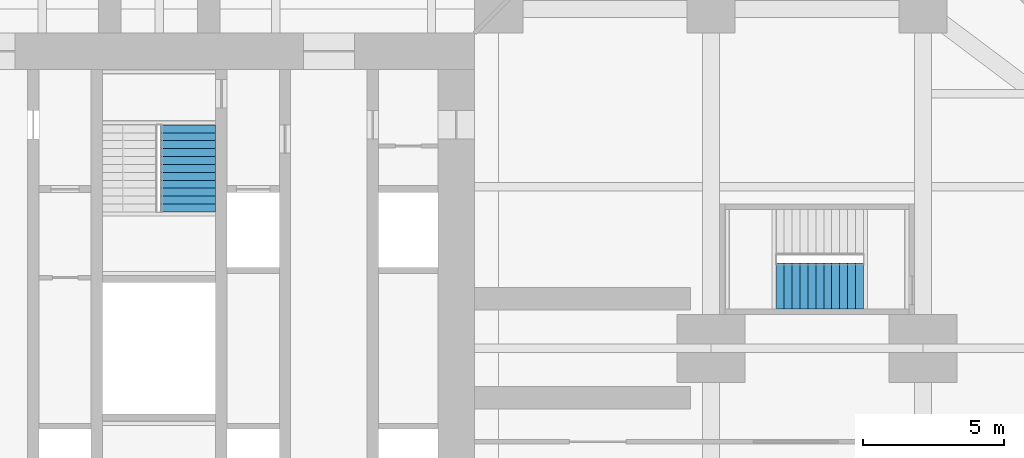
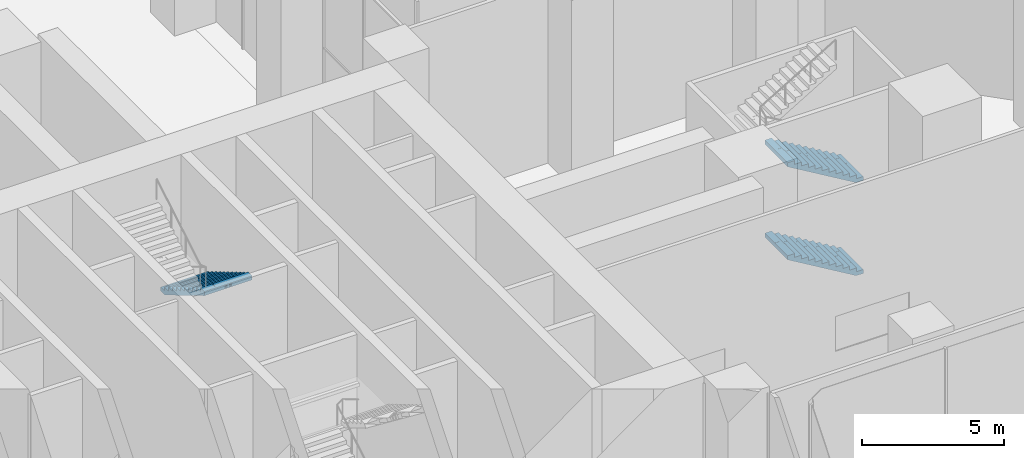
# One storey, part 23 of 25: 3 stair flights, 2 elements without a shape of their own.
"""IFC4 building model written with IfcOpenShell, lengths in metres."""

from ifc_helpers import new_model, si_unit, direction, frame, origin, place, context, subcontext, project, spatial, polyline, outline, extrude, material, type_object, element, aggregate, save


model = new_model("IFC4")

# Units and contexts
model_context = context("Model", 3, precision=1e-05, world=origin(), true_north=direction((0.0, 1.0)))
body_context = subcontext(model_context, "Body", "Model", "MODEL_VIEW")
ifc_project = project(units=[si_unit("LENGTHUNIT", "METRE"), si_unit("AREAUNIT", "SQUARE_METRE"), si_unit("VOLUMEUNIT", "CUBIC_METRE"), si_unit("PLANEANGLEUNIT", "RADIAN"), si_unit("MASSUNIT", "GRAM", prefix="KILO")], contexts=[model_context])

# Site, building, storey
site_placement = place(None, origin())
site = spatial("IfcSite", under=ifc_project, at=site_placement, CompositionType="ELEMENT")
building_placement = place(site_placement, origin())
building = spatial("IfcBuilding", under=site, at=building_placement, Name="Mizan Broadcast Tower", CompositionType="ELEMENT")
storey_placement = place(building_placement, frame((0.0, 0.0, 7.0)))
storey = spatial("IfcBuildingStorey", under=building, at=storey_placement, Name="L01", CompositionType="ELEMENT", Elevation=7.0)

# Stair, stair flight
ifc_material_1 = material(Name="Concrete C40/50", Category="concrete")
stair_type = type_object("IfcStairType", Name="EXIT STAIR", PredefinedType="HALF_TURN_STAIR", material=ifc_material_1)
stair_1_placement = place(storey_placement, origin())
stair_1 = element("IfcStair", 1, at=stair_1_placement, inside=storey, type_object=stair_type, Name="Stair B L01", PredefinedType="HALF_TURN_STAIR")
ifc_material_2 = material(Name="Concrete C40/50", Category="concrete")
stair_flight_type = type_object("IfcStairFlightType", Name="EXIT STAIR FLIGHT", PredefinedType="STRAIGHT", material=ifc_material_2)
stair_flight_1_placement = place(storey_placement, frame((1.02490234375, 7.89990234375, 4.0), z_axis=(0.0, 0.0, 1.0), x_axis=(0.0, -1.0, 0.0)))
stair_flight_1 = element("IfcStairFlight", 2, at=stair_flight_1_placement, type_object=stair_flight_type, Name="B flight 3", NumberOfRisers=12, NumberOfTreads=11, PredefinedType="STRAIGHT", RiserHeight=0.166666667, TreadLength=0.28, context=body_context, shape_type="SweptSolid", body=[
    extrude(outline(polyline([(0.0, 0.0), (0.0, 0.166748046875), (0.280029296875, 0.166748046875), (0.280029296875, 0.333251953125), (0.56005859375, 0.333251953125), (0.56005859375, 0.5), (0.840087890625, 0.5), (0.840087890625, 0.666748046875), (1.1201171875, 0.666748046875), (1.1201171875, 0.833251953125), (1.39990234375, 0.833251953125), (1.39990234375, 1.0), (1.679931640625, 1.0), (1.679931640625, 1.166748046875), (1.9599609375, 1.166748046875), (1.9599609375, 1.333251953125), (2.239990234375, 1.333251953125), (2.239990234375, 1.5), (2.52001953125, 1.5), (2.52001953125, 1.666748046875), (2.800048828125, 1.666748046875), (2.800048828125, 1.833251953125), (3.080078125, 1.833251953125), (3.080078125, 2.0), (3.080078125, 1.658935546875), (0.29296875, 0.0), (0.0, 0.0)])), frame((0.0, 0.97509765625, 0.0), z_axis=(0.0, -1.0, 0.0), x_axis=(1.0, 0.0, 0.0)), (0.0, 0.0, 1.0), 0.4873046875),
    extrude(outline(polyline([(0.0, 0.0), (0.0, 0.166748046875), (0.280029296875, 0.166748046875), (0.280029296875, 0.333251953125), (0.56005859375, 0.333251953125), (0.56005859375, 0.5), (0.840087890625, 0.5), (0.840087890625, 0.666748046875), (1.1201171875, 0.666748046875), (1.1201171875, 0.833251953125), (1.39990234375, 0.833251953125), (1.39990234375, 1.0), (1.679931640625, 1.0), (1.679931640625, 1.166748046875), (1.9599609375, 1.166748046875), (1.9599609375, 1.333251953125), (2.239990234375, 1.333251953125), (2.239990234375, 1.5), (2.52001953125, 1.5), (2.52001953125, 1.666748046875), (2.800048828125, 1.666748046875), (2.800048828125, 1.833251953125), (3.080078125, 1.833251953125), (3.080078125, 2.0), (3.080078125, 1.658935546875), (0.29296875, 0.0), (0.0, 0.0)])), frame((0.0, 0.4873046875, 0.0), z_axis=(0.0, -1.0, 0.0), x_axis=(1.0, 0.0, 0.0)), (0.0, 0.0, 1.0), 0.2431640625),
    extrude(outline(polyline([(0.0, 0.0), (0.0, 0.166748046875), (0.280029296875, 0.166748046875), (0.280029296875, 0.333251953125), (0.56005859375, 0.333251953125), (0.56005859375, 0.5), (0.840087890625, 0.5), (0.840087890625, 0.666748046875), (1.1201171875, 0.666748046875), (1.1201171875, 0.833251953125), (1.39990234375, 0.833251953125), (1.39990234375, 1.0), (1.679931640625, 1.0), (1.679931640625, 1.166748046875), (1.9599609375, 1.166748046875), (1.9599609375, 1.333251953125), (2.239990234375, 1.333251953125), (2.239990234375, 1.5), (2.52001953125, 1.5), (2.52001953125, 1.666748046875), (2.800048828125, 1.666748046875), (2.800048828125, 1.833251953125), (3.080078125, 1.833251953125), (3.080078125, 2.0), (3.080078125, 1.658935546875), (0.29296875, 0.0), (0.0, 0.0)])), frame((0.0, 0.24365234375, 0.0), z_axis=(0.0, -1.0, 0.0), x_axis=(1.0, 0.0, 0.0)), (0.0, 0.0, 1.0), 0.121337890625),
    extrude(outline(polyline([(0.0, 0.0), (0.0, 0.166748046875), (0.280029296875, 0.166748046875), (0.280029296875, 0.333251953125), (0.56005859375, 0.333251953125), (0.56005859375, 0.5), (0.840087890625, 0.5), (0.840087890625, 0.666748046875), (1.1201171875, 0.666748046875), (1.1201171875, 0.833251953125), (1.39990234375, 0.833251953125), (1.39990234375, 1.0), (1.679931640625, 1.0), (1.679931640625, 1.166748046875), (1.9599609375, 1.166748046875), (1.9599609375, 1.333251953125), (2.239990234375, 1.333251953125), (2.239990234375, 1.5), (2.52001953125, 1.5), (2.52001953125, 1.666748046875), (2.800048828125, 1.666748046875), (2.800048828125, 1.833251953125), (3.080078125, 1.833251953125), (3.080078125, 2.0), (3.080078125, 1.658935546875), (0.29296875, 0.0), (0.0, 0.0)])), frame((0.0, 0.121826171875, 0.0), z_axis=(0.0, -1.0, 0.0), x_axis=(1.0, 0.0, 0.0)), (0.0, 0.0, 1.0), 0.060546875),
    extrude(outline(polyline([(0.0, 0.0), (0.0, 0.166748046875), (0.280029296875, 0.166748046875), (0.280029296875, 0.333251953125), (0.56005859375, 0.333251953125), (0.56005859375, 0.5), (0.840087890625, 0.5), (0.840087890625, 0.666748046875), (1.1201171875, 0.666748046875), (1.1201171875, 0.833251953125), (1.39990234375, 0.833251953125), (1.39990234375, 1.0), (1.679931640625, 1.0), (1.679931640625, 1.166748046875), (1.9599609375, 1.166748046875), (1.9599609375, 1.333251953125), (2.239990234375, 1.333251953125), (2.239990234375, 1.5), (2.52001953125, 1.5), (2.52001953125, 1.666748046875), (2.800048828125, 1.666748046875), (2.800048828125, 1.833251953125), (3.080078125, 1.833251953125), (3.080078125, 2.0), (3.080078125, 1.658935546875), (0.29296875, 0.0), (0.0, 0.0)])), frame((0.0, 0.060791015625, 0.0), z_axis=(0.0, -1.0, 0.0), x_axis=(1.0, 0.0, 0.0)), (0.0, 0.0, 1.0), 0.030029296875),
    extrude(outline(polyline([(0.0, 0.0), (0.0, 0.166748046875), (0.280029296875, 0.166748046875), (0.280029296875, 0.333251953125), (0.56005859375, 0.333251953125), (0.56005859375, 0.5), (0.840087890625, 0.5), (0.840087890625, 0.666748046875), (1.1201171875, 0.666748046875), (1.1201171875, 0.833251953125), (1.39990234375, 0.833251953125), (1.39990234375, 1.0), (1.679931640625, 1.0), (1.679931640625, 1.166748046875), (1.9599609375, 1.166748046875), (1.9599609375, 1.333251953125), (2.239990234375, 1.333251953125), (2.239990234375, 1.5), (2.52001953125, 1.5), (2.52001953125, 1.666748046875), (2.800048828125, 1.666748046875), (2.800048828125, 1.833251953125), (3.080078125, 1.833251953125), (3.080078125, 2.0), (3.080078125, 1.658935546875), (0.29296875, 0.0), (0.0, 0.0)])), frame((0.0, 0.0302734375, 0.0), z_axis=(0.0, -1.0, 0.0), x_axis=(1.0, 0.0, 0.0)), (0.0, 0.0, 1.0), 0.060302734375),
    extrude(outline(polyline([(0.0, 0.0), (0.0, 0.166748046875), (0.280029296875, 0.166748046875), (0.280029296875, 0.333251953125), (0.56005859375, 0.333251953125), (0.56005859375, 0.5), (0.840087890625, 0.5), (0.840087890625, 0.666748046875), (1.1201171875, 0.666748046875), (1.1201171875, 0.833251953125), (1.39990234375, 0.833251953125), (1.39990234375, 1.0), (1.679931640625, 1.0), (1.679931640625, 1.166748046875), (1.9599609375, 1.166748046875), (1.9599609375, 1.333251953125), (2.239990234375, 1.333251953125), (2.239990234375, 1.5), (2.52001953125, 1.5), (2.52001953125, 1.666748046875), (2.800048828125, 1.666748046875), (2.800048828125, 1.833251953125), (3.080078125, 1.833251953125), (3.080078125, 2.0), (3.080078125, 1.658935546875), (0.29296875, 0.0), (0.0, 0.0)])), frame((0.0, -0.030517578125, 0.0), z_axis=(0.0, -1.0, 0.0), x_axis=(1.0, 0.0, 0.0)), (0.0, 0.0, 1.0), 0.030029296875),
    extrude(outline(polyline([(0.0, 0.0), (0.0, 0.166748046875), (0.280029296875, 0.166748046875), (0.280029296875, 0.333251953125), (0.56005859375, 0.333251953125), (0.56005859375, 0.5), (0.840087890625, 0.5), (0.840087890625, 0.666748046875), (1.1201171875, 0.666748046875), (1.1201171875, 0.833251953125), (1.39990234375, 0.833251953125), (1.39990234375, 1.0), (1.679931640625, 1.0), (1.679931640625, 1.166748046875), (1.9599609375, 1.166748046875), (1.9599609375, 1.333251953125), (2.239990234375, 1.333251953125), (2.239990234375, 1.5), (2.52001953125, 1.5), (2.52001953125, 1.666748046875), (2.800048828125, 1.666748046875), (2.800048828125, 1.833251953125), (3.080078125, 1.833251953125), (3.080078125, 2.0), (3.080078125, 1.658935546875), (0.29296875, 0.0), (0.0, 0.0)])), frame((0.0, -0.06103515625, 0.0), z_axis=(0.0, -1.0, 0.0), x_axis=(1.0, 0.0, 0.0)), (0.0, 0.0, 1.0), 0.060546875),
    extrude(outline(polyline([(0.0, 0.0), (0.0, 0.166748046875), (0.280029296875, 0.166748046875), (0.280029296875, 0.333251953125), (0.56005859375, 0.333251953125), (0.56005859375, 0.5), (0.840087890625, 0.5), (0.840087890625, 0.666748046875), (1.1201171875, 0.666748046875), (1.1201171875, 0.833251953125), (1.39990234375, 0.833251953125), (1.39990234375, 1.0), (1.679931640625, 1.0), (1.679931640625, 1.166748046875), (1.9599609375, 1.166748046875), (1.9599609375, 1.333251953125), (2.239990234375, 1.333251953125), (2.239990234375, 1.5), (2.52001953125, 1.5), (2.52001953125, 1.666748046875), (2.800048828125, 1.666748046875), (2.800048828125, 1.833251953125), (3.080078125, 1.833251953125), (3.080078125, 2.0), (3.080078125, 1.658935546875), (0.29296875, 0.0), (0.0, 0.0)])), frame((0.0, -0.1220703125, 0.0), z_axis=(0.0, -1.0, 0.0), x_axis=(1.0, 0.0, 0.0)), (0.0, 0.0, 1.0), 0.121337890625),
    extrude(outline(polyline([(0.0, 0.0), (0.0, 0.166748046875), (0.280029296875, 0.166748046875), (0.280029296875, 0.333251953125), (0.56005859375, 0.333251953125), (0.56005859375, 0.5), (0.840087890625, 0.5), (0.840087890625, 0.666748046875), (1.1201171875, 0.666748046875), (1.1201171875, 0.833251953125), (1.39990234375, 0.833251953125), (1.39990234375, 1.0), (1.679931640625, 1.0), (1.679931640625, 1.166748046875), (1.9599609375, 1.166748046875), (1.9599609375, 1.333251953125), (2.239990234375, 1.333251953125), (2.239990234375, 1.5), (2.52001953125, 1.5), (2.52001953125, 1.666748046875), (2.800048828125, 1.666748046875), (2.800048828125, 1.833251953125), (3.080078125, 1.833251953125), (3.080078125, 2.0), (3.080078125, 1.658935546875), (0.29296875, 0.0), (0.0, 0.0)])), frame((0.0, -0.243896484375, 0.0), z_axis=(0.0, -1.0, 0.0), x_axis=(1.0, 0.0, 0.0)), (0.0, 0.0, 1.0), 0.2431640625),
    extrude(outline(polyline([(0.0, 0.0), (0.0, 0.166748046875), (0.280029296875, 0.166748046875), (0.280029296875, 0.333251953125), (0.56005859375, 0.333251953125), (0.56005859375, 0.5), (0.840087890625, 0.5), (0.840087890625, 0.666748046875), (1.1201171875, 0.666748046875), (1.1201171875, 0.833251953125), (1.39990234375, 0.833251953125), (1.39990234375, 1.0), (1.679931640625, 1.0), (1.679931640625, 1.166748046875), (1.9599609375, 1.166748046875), (1.9599609375, 1.333251953125), (2.239990234375, 1.333251953125), (2.239990234375, 1.5), (2.52001953125, 1.5), (2.52001953125, 1.666748046875), (2.800048828125, 1.666748046875), (2.800048828125, 1.833251953125), (3.080078125, 1.833251953125), (3.080078125, 2.0), (3.080078125, 1.658935546875), (0.29296875, 0.0), (0.0, 0.0)])), frame((0.0, -0.487548828125, 0.0), z_axis=(0.0, -1.0, 0.0), x_axis=(1.0, 0.0, 0.0)), (0.0, 0.0, 1.0), 0.4873046875),
])
aggregate(stair_1, [stair_flight_1])

# Stair, stair flights
stair_2_placement = place(storey_placement, origin())
stair_2 = element("IfcStair", 3, at=stair_2_placement, inside=storey, type_object=stair_type, Name="Stair C L01", PredefinedType="HALF_TURN_STAIR")
stair_flight_2_placement = place(storey_placement, frame((24.889892578125, 2.205078125, 0.0), z_axis=(0.0, 0.0, 1.0), x_axis=(-1.0, 0.0, 0.0)))
stair_flight_2 = element("IfcStairFlight", 4, at=stair_flight_2_placement, type_object=stair_flight_type, Name="C flight 1", NumberOfRisers=12, NumberOfTreads=11, PredefinedType="STRAIGHT", RiserHeight=0.166666667, TreadLength=0.28, context=body_context, shape_type="SweptSolid", body=[
    extrude(outline(polyline([(0.0, 0.0), (0.0, 0.166748046875), (0.280029296875, 0.166748046875), (0.280029296875, 0.333251953125), (0.56005859375, 0.333251953125), (0.56005859375, 0.5), (0.840087890625, 0.5), (0.840087890625, 0.666748046875), (1.1201171875, 0.666748046875), (1.1201171875, 0.833251953125), (1.39990234375, 0.833251953125), (1.39990234375, 1.0), (1.679931640625, 1.0), (1.679931640625, 1.166748046875), (1.9599609375, 1.166748046875), (1.9599609375, 1.333251953125), (2.239990234375, 1.333251953125), (2.239990234375, 1.5), (2.52001953125, 1.5), (2.52001953125, 1.666748046875), (2.800048828125, 1.666748046875), (2.800048828125, 1.833251953125), (3.080078125, 1.833251953125), (3.080078125, 2.0), (3.080078125, 1.658935546875), (0.29296875, 0.0), (0.0, 0.0)])), frame((0.0, 0.80517578125, 0.0), z_axis=(0.0, -1.0, 0.0), x_axis=(1.0, 0.0, 0.0)), (0.0, 0.0, 1.0), 0.40234375),
    extrude(outline(polyline([(0.0, 0.0), (0.0, 0.166748046875), (0.280029296875, 0.166748046875), (0.280029296875, 0.333251953125), (0.56005859375, 0.333251953125), (0.56005859375, 0.5), (0.840087890625, 0.5), (0.840087890625, 0.666748046875), (1.1201171875, 0.666748046875), (1.1201171875, 0.833251953125), (1.39990234375, 0.833251953125), (1.39990234375, 1.0), (1.679931640625, 1.0), (1.679931640625, 1.166748046875), (1.9599609375, 1.166748046875), (1.9599609375, 1.333251953125), (2.239990234375, 1.333251953125), (2.239990234375, 1.5), (2.52001953125, 1.5), (2.52001953125, 1.666748046875), (2.800048828125, 1.666748046875), (2.800048828125, 1.833251953125), (3.080078125, 1.833251953125), (3.080078125, 2.0), (3.080078125, 1.658935546875), (0.29296875, 0.0), (0.0, 0.0)])), frame((0.0, 0.40234375, 0.0), z_axis=(0.0, -1.0, 0.0), x_axis=(1.0, 0.0, 0.0)), (0.0, 0.0, 1.0), 0.20068359375),
    extrude(outline(polyline([(0.0, 0.0), (0.0, 0.166748046875), (0.280029296875, 0.166748046875), (0.280029296875, 0.333251953125), (0.56005859375, 0.333251953125), (0.56005859375, 0.5), (0.840087890625, 0.5), (0.840087890625, 0.666748046875), (1.1201171875, 0.666748046875), (1.1201171875, 0.833251953125), (1.39990234375, 0.833251953125), (1.39990234375, 1.0), (1.679931640625, 1.0), (1.679931640625, 1.166748046875), (1.9599609375, 1.166748046875), (1.9599609375, 1.333251953125), (2.239990234375, 1.333251953125), (2.239990234375, 1.5), (2.52001953125, 1.5), (2.52001953125, 1.666748046875), (2.800048828125, 1.666748046875), (2.800048828125, 1.833251953125), (3.080078125, 1.833251953125), (3.080078125, 2.0), (3.080078125, 1.658935546875), (0.29296875, 0.0), (0.0, 0.0)])), frame((0.0, 0.201171875, 0.0), z_axis=(0.0, -1.0, 0.0), x_axis=(1.0, 0.0, 0.0)), (0.0, 0.0, 1.0), 0.10009765625),
    extrude(outline(polyline([(0.0, 0.0), (0.0, 0.166748046875), (0.280029296875, 0.166748046875), (0.280029296875, 0.333251953125), (0.56005859375, 0.333251953125), (0.56005859375, 0.5), (0.840087890625, 0.5), (0.840087890625, 0.666748046875), (1.1201171875, 0.666748046875), (1.1201171875, 0.833251953125), (1.39990234375, 0.833251953125), (1.39990234375, 1.0), (1.679931640625, 1.0), (1.679931640625, 1.166748046875), (1.9599609375, 1.166748046875), (1.9599609375, 1.333251953125), (2.239990234375, 1.333251953125), (2.239990234375, 1.5), (2.52001953125, 1.5), (2.52001953125, 1.666748046875), (2.800048828125, 1.666748046875), (2.800048828125, 1.833251953125), (3.080078125, 1.833251953125), (3.080078125, 2.0), (3.080078125, 1.658935546875), (0.29296875, 0.0), (0.0, 0.0)])), frame((0.0, 0.1005859375, 0.0), z_axis=(0.0, -1.0, 0.0), x_axis=(1.0, 0.0, 0.0)), (0.0, 0.0, 1.0), 0.0498046875),
    extrude(outline(polyline([(0.0, 0.0), (0.0, 0.166748046875), (0.280029296875, 0.166748046875), (0.280029296875, 0.333251953125), (0.56005859375, 0.333251953125), (0.56005859375, 0.5), (0.840087890625, 0.5), (0.840087890625, 0.666748046875), (1.1201171875, 0.666748046875), (1.1201171875, 0.833251953125), (1.39990234375, 0.833251953125), (1.39990234375, 1.0), (1.679931640625, 1.0), (1.679931640625, 1.166748046875), (1.9599609375, 1.166748046875), (1.9599609375, 1.333251953125), (2.239990234375, 1.333251953125), (2.239990234375, 1.5), (2.52001953125, 1.5), (2.52001953125, 1.666748046875), (2.800048828125, 1.666748046875), (2.800048828125, 1.833251953125), (3.080078125, 1.833251953125), (3.080078125, 2.0), (3.080078125, 1.658935546875), (0.29296875, 0.0), (0.0, 0.0)])), frame((0.0, 0.05029296875, 0.0), z_axis=(0.0, -1.0, 0.0), x_axis=(1.0, 0.0, 0.0)), (0.0, 0.0, 1.0), 0.024658203125),
    extrude(outline(polyline([(0.0, 0.0), (0.0, 0.166748046875), (0.280029296875, 0.166748046875), (0.280029296875, 0.333251953125), (0.56005859375, 0.333251953125), (0.56005859375, 0.5), (0.840087890625, 0.5), (0.840087890625, 0.666748046875), (1.1201171875, 0.666748046875), (1.1201171875, 0.833251953125), (1.39990234375, 0.833251953125), (1.39990234375, 1.0), (1.679931640625, 1.0), (1.679931640625, 1.166748046875), (1.9599609375, 1.166748046875), (1.9599609375, 1.333251953125), (2.239990234375, 1.333251953125), (2.239990234375, 1.5), (2.52001953125, 1.5), (2.52001953125, 1.666748046875), (2.800048828125, 1.666748046875), (2.800048828125, 1.833251953125), (3.080078125, 1.833251953125), (3.080078125, 2.0), (3.080078125, 1.658935546875), (0.29296875, 0.0), (0.0, 0.0)])), frame((0.0, 0.025146484375, 0.0), z_axis=(0.0, -1.0, 0.0), x_axis=(1.0, 0.0, 0.0)), (0.0, 0.0, 1.0), 0.050048828125),
    extrude(outline(polyline([(0.0, 0.0), (0.0, 0.166748046875), (0.280029296875, 0.166748046875), (0.280029296875, 0.333251953125), (0.56005859375, 0.333251953125), (0.56005859375, 0.5), (0.840087890625, 0.5), (0.840087890625, 0.666748046875), (1.1201171875, 0.666748046875), (1.1201171875, 0.833251953125), (1.39990234375, 0.833251953125), (1.39990234375, 1.0), (1.679931640625, 1.0), (1.679931640625, 1.166748046875), (1.9599609375, 1.166748046875), (1.9599609375, 1.333251953125), (2.239990234375, 1.333251953125), (2.239990234375, 1.5), (2.52001953125, 1.5), (2.52001953125, 1.666748046875), (2.800048828125, 1.666748046875), (2.800048828125, 1.833251953125), (3.080078125, 1.833251953125), (3.080078125, 2.0), (3.080078125, 1.658935546875), (0.29296875, 0.0), (0.0, 0.0)])), frame((0.0, -0.025390625, 0.0), z_axis=(0.0, -1.0, 0.0), x_axis=(1.0, 0.0, 0.0)), (0.0, 0.0, 1.0), 0.024658203125),
    extrude(outline(polyline([(0.0, 0.0), (0.0, 0.166748046875), (0.280029296875, 0.166748046875), (0.280029296875, 0.333251953125), (0.56005859375, 0.333251953125), (0.56005859375, 0.5), (0.840087890625, 0.5), (0.840087890625, 0.666748046875), (1.1201171875, 0.666748046875), (1.1201171875, 0.833251953125), (1.39990234375, 0.833251953125), (1.39990234375, 1.0), (1.679931640625, 1.0), (1.679931640625, 1.166748046875), (1.9599609375, 1.166748046875), (1.9599609375, 1.333251953125), (2.239990234375, 1.333251953125), (2.239990234375, 1.5), (2.52001953125, 1.5), (2.52001953125, 1.666748046875), (2.800048828125, 1.666748046875), (2.800048828125, 1.833251953125), (3.080078125, 1.833251953125), (3.080078125, 2.0), (3.080078125, 1.658935546875), (0.29296875, 0.0), (0.0, 0.0)])), frame((0.0, -0.050537109375, 0.0), z_axis=(0.0, -1.0, 0.0), x_axis=(1.0, 0.0, 0.0)), (0.0, 0.0, 1.0), 0.0498046875),
    extrude(outline(polyline([(0.0, 0.0), (0.0, 0.166748046875), (0.280029296875, 0.166748046875), (0.280029296875, 0.333251953125), (0.56005859375, 0.333251953125), (0.56005859375, 0.5), (0.840087890625, 0.5), (0.840087890625, 0.666748046875), (1.1201171875, 0.666748046875), (1.1201171875, 0.833251953125), (1.39990234375, 0.833251953125), (1.39990234375, 1.0), (1.679931640625, 1.0), (1.679931640625, 1.166748046875), (1.9599609375, 1.166748046875), (1.9599609375, 1.333251953125), (2.239990234375, 1.333251953125), (2.239990234375, 1.5), (2.52001953125, 1.5), (2.52001953125, 1.666748046875), (2.800048828125, 1.666748046875), (2.800048828125, 1.833251953125), (3.080078125, 1.833251953125), (3.080078125, 2.0), (3.080078125, 1.658935546875), (0.29296875, 0.0), (0.0, 0.0)])), frame((0.0, -0.100830078125, 0.0), z_axis=(0.0, -1.0, 0.0), x_axis=(1.0, 0.0, 0.0)), (0.0, 0.0, 1.0), 0.10009765625),
    extrude(outline(polyline([(0.0, 0.0), (0.0, 0.166748046875), (0.280029296875, 0.166748046875), (0.280029296875, 0.333251953125), (0.56005859375, 0.333251953125), (0.56005859375, 0.5), (0.840087890625, 0.5), (0.840087890625, 0.666748046875), (1.1201171875, 0.666748046875), (1.1201171875, 0.833251953125), (1.39990234375, 0.833251953125), (1.39990234375, 1.0), (1.679931640625, 1.0), (1.679931640625, 1.166748046875), (1.9599609375, 1.166748046875), (1.9599609375, 1.333251953125), (2.239990234375, 1.333251953125), (2.239990234375, 1.5), (2.52001953125, 1.5), (2.52001953125, 1.666748046875), (2.800048828125, 1.666748046875), (2.800048828125, 1.833251953125), (3.080078125, 1.833251953125), (3.080078125, 2.0), (3.080078125, 1.658935546875), (0.29296875, 0.0), (0.0, 0.0)])), frame((0.0, -0.201416015625, 0.0), z_axis=(0.0, -1.0, 0.0), x_axis=(1.0, 0.0, 0.0)), (0.0, 0.0, 1.0), 0.20068359375),
    extrude(outline(polyline([(0.0, 0.0), (0.0, 0.166748046875), (0.280029296875, 0.166748046875), (0.280029296875, 0.333251953125), (0.56005859375, 0.333251953125), (0.56005859375, 0.5), (0.840087890625, 0.5), (0.840087890625, 0.666748046875), (1.1201171875, 0.666748046875), (1.1201171875, 0.833251953125), (1.39990234375, 0.833251953125), (1.39990234375, 1.0), (1.679931640625, 1.0), (1.679931640625, 1.166748046875), (1.9599609375, 1.166748046875), (1.9599609375, 1.333251953125), (2.239990234375, 1.333251953125), (2.239990234375, 1.5), (2.52001953125, 1.5), (2.52001953125, 1.666748046875), (2.800048828125, 1.666748046875), (2.800048828125, 1.833251953125), (3.080078125, 1.833251953125), (3.080078125, 2.0), (3.080078125, 1.658935546875), (0.29296875, 0.0), (0.0, 0.0)])), frame((0.0, -0.402587890625, 0.0), z_axis=(0.0, -1.0, 0.0), x_axis=(1.0, 0.0, 0.0)), (0.0, 0.0, 1.0), 0.40234375),
])
stair_flight_3_placement = place(storey_placement, frame((24.889892578125, 2.205078125, 4.0), z_axis=(0.0, 0.0, 1.0), x_axis=(-1.0, 0.0, 0.0)))
stair_flight_3 = element("IfcStairFlight", 5, at=stair_flight_3_placement, type_object=stair_flight_type, Name="C flight 3", NumberOfRisers=12, NumberOfTreads=11, PredefinedType="STRAIGHT", RiserHeight=0.166666667, TreadLength=0.28, context=body_context, shape_type="SweptSolid", body=[
    extrude(outline(polyline([(0.0, 0.0), (0.0, 0.166748046875), (0.280029296875, 0.166748046875), (0.280029296875, 0.333251953125), (0.56005859375, 0.333251953125), (0.56005859375, 0.5), (0.840087890625, 0.5), (0.840087890625, 0.666748046875), (1.1201171875, 0.666748046875), (1.1201171875, 0.833251953125), (1.39990234375, 0.833251953125), (1.39990234375, 1.0), (1.679931640625, 1.0), (1.679931640625, 1.166748046875), (1.9599609375, 1.166748046875), (1.9599609375, 1.333251953125), (2.239990234375, 1.333251953125), (2.239990234375, 1.5), (2.52001953125, 1.5), (2.52001953125, 1.666748046875), (2.800048828125, 1.666748046875), (2.800048828125, 1.833251953125), (3.080078125, 1.833251953125), (3.080078125, 2.0), (3.080078125, 1.658935546875), (0.29296875, 0.0), (0.0, 0.0)])), frame((0.0, 0.80517578125, 0.0), z_axis=(0.0, -1.0, 0.0), x_axis=(1.0, 0.0, 0.0)), (0.0, 0.0, 1.0), 0.40234375),
    extrude(outline(polyline([(0.0, 0.0), (0.0, 0.166748046875), (0.280029296875, 0.166748046875), (0.280029296875, 0.333251953125), (0.56005859375, 0.333251953125), (0.56005859375, 0.5), (0.840087890625, 0.5), (0.840087890625, 0.666748046875), (1.1201171875, 0.666748046875), (1.1201171875, 0.833251953125), (1.39990234375, 0.833251953125), (1.39990234375, 1.0), (1.679931640625, 1.0), (1.679931640625, 1.166748046875), (1.9599609375, 1.166748046875), (1.9599609375, 1.333251953125), (2.239990234375, 1.333251953125), (2.239990234375, 1.5), (2.52001953125, 1.5), (2.52001953125, 1.666748046875), (2.800048828125, 1.666748046875), (2.800048828125, 1.833251953125), (3.080078125, 1.833251953125), (3.080078125, 2.0), (3.080078125, 1.658935546875), (0.29296875, 0.0), (0.0, 0.0)])), frame((0.0, 0.40234375, 0.0), z_axis=(0.0, -1.0, 0.0), x_axis=(1.0, 0.0, 0.0)), (0.0, 0.0, 1.0), 0.20068359375),
    extrude(outline(polyline([(0.0, 0.0), (0.0, 0.166748046875), (0.280029296875, 0.166748046875), (0.280029296875, 0.333251953125), (0.56005859375, 0.333251953125), (0.56005859375, 0.5), (0.840087890625, 0.5), (0.840087890625, 0.666748046875), (1.1201171875, 0.666748046875), (1.1201171875, 0.833251953125), (1.39990234375, 0.833251953125), (1.39990234375, 1.0), (1.679931640625, 1.0), (1.679931640625, 1.166748046875), (1.9599609375, 1.166748046875), (1.9599609375, 1.333251953125), (2.239990234375, 1.333251953125), (2.239990234375, 1.5), (2.52001953125, 1.5), (2.52001953125, 1.666748046875), (2.800048828125, 1.666748046875), (2.800048828125, 1.833251953125), (3.080078125, 1.833251953125), (3.080078125, 2.0), (3.080078125, 1.658935546875), (0.29296875, 0.0), (0.0, 0.0)])), frame((0.0, 0.201171875, 0.0), z_axis=(0.0, -1.0, 0.0), x_axis=(1.0, 0.0, 0.0)), (0.0, 0.0, 1.0), 0.10009765625),
    extrude(outline(polyline([(0.0, 0.0), (0.0, 0.166748046875), (0.280029296875, 0.166748046875), (0.280029296875, 0.333251953125), (0.56005859375, 0.333251953125), (0.56005859375, 0.5), (0.840087890625, 0.5), (0.840087890625, 0.666748046875), (1.1201171875, 0.666748046875), (1.1201171875, 0.833251953125), (1.39990234375, 0.833251953125), (1.39990234375, 1.0), (1.679931640625, 1.0), (1.679931640625, 1.166748046875), (1.9599609375, 1.166748046875), (1.9599609375, 1.333251953125), (2.239990234375, 1.333251953125), (2.239990234375, 1.5), (2.52001953125, 1.5), (2.52001953125, 1.666748046875), (2.800048828125, 1.666748046875), (2.800048828125, 1.833251953125), (3.080078125, 1.833251953125), (3.080078125, 2.0), (3.080078125, 1.658935546875), (0.29296875, 0.0), (0.0, 0.0)])), frame((0.0, 0.1005859375, 0.0), z_axis=(0.0, -1.0, 0.0), x_axis=(1.0, 0.0, 0.0)), (0.0, 0.0, 1.0), 0.0498046875),
    extrude(outline(polyline([(0.0, 0.0), (0.0, 0.166748046875), (0.280029296875, 0.166748046875), (0.280029296875, 0.333251953125), (0.56005859375, 0.333251953125), (0.56005859375, 0.5), (0.840087890625, 0.5), (0.840087890625, 0.666748046875), (1.1201171875, 0.666748046875), (1.1201171875, 0.833251953125), (1.39990234375, 0.833251953125), (1.39990234375, 1.0), (1.679931640625, 1.0), (1.679931640625, 1.166748046875), (1.9599609375, 1.166748046875), (1.9599609375, 1.333251953125), (2.239990234375, 1.333251953125), (2.239990234375, 1.5), (2.52001953125, 1.5), (2.52001953125, 1.666748046875), (2.800048828125, 1.666748046875), (2.800048828125, 1.833251953125), (3.080078125, 1.833251953125), (3.080078125, 2.0), (3.080078125, 1.658935546875), (0.29296875, 0.0), (0.0, 0.0)])), frame((0.0, 0.05029296875, 0.0), z_axis=(0.0, -1.0, 0.0), x_axis=(1.0, 0.0, 0.0)), (0.0, 0.0, 1.0), 0.024658203125),
    extrude(outline(polyline([(0.0, 0.0), (0.0, 0.166748046875), (0.280029296875, 0.166748046875), (0.280029296875, 0.333251953125), (0.56005859375, 0.333251953125), (0.56005859375, 0.5), (0.840087890625, 0.5), (0.840087890625, 0.666748046875), (1.1201171875, 0.666748046875), (1.1201171875, 0.833251953125), (1.39990234375, 0.833251953125), (1.39990234375, 1.0), (1.679931640625, 1.0), (1.679931640625, 1.166748046875), (1.9599609375, 1.166748046875), (1.9599609375, 1.333251953125), (2.239990234375, 1.333251953125), (2.239990234375, 1.5), (2.52001953125, 1.5), (2.52001953125, 1.666748046875), (2.800048828125, 1.666748046875), (2.800048828125, 1.833251953125), (3.080078125, 1.833251953125), (3.080078125, 2.0), (3.080078125, 1.658935546875), (0.29296875, 0.0), (0.0, 0.0)])), frame((0.0, 0.025146484375, 0.0), z_axis=(0.0, -1.0, 0.0), x_axis=(1.0, 0.0, 0.0)), (0.0, 0.0, 1.0), 0.050048828125),
    extrude(outline(polyline([(0.0, 0.0), (0.0, 0.166748046875), (0.280029296875, 0.166748046875), (0.280029296875, 0.333251953125), (0.56005859375, 0.333251953125), (0.56005859375, 0.5), (0.840087890625, 0.5), (0.840087890625, 0.666748046875), (1.1201171875, 0.666748046875), (1.1201171875, 0.833251953125), (1.39990234375, 0.833251953125), (1.39990234375, 1.0), (1.679931640625, 1.0), (1.679931640625, 1.166748046875), (1.9599609375, 1.166748046875), (1.9599609375, 1.333251953125), (2.239990234375, 1.333251953125), (2.239990234375, 1.5), (2.52001953125, 1.5), (2.52001953125, 1.666748046875), (2.800048828125, 1.666748046875), (2.800048828125, 1.833251953125), (3.080078125, 1.833251953125), (3.080078125, 2.0), (3.080078125, 1.658935546875), (0.29296875, 0.0), (0.0, 0.0)])), frame((0.0, -0.025390625, 0.0), z_axis=(0.0, -1.0, 0.0), x_axis=(1.0, 0.0, 0.0)), (0.0, 0.0, 1.0), 0.024658203125),
    extrude(outline(polyline([(0.0, 0.0), (0.0, 0.166748046875), (0.280029296875, 0.166748046875), (0.280029296875, 0.333251953125), (0.56005859375, 0.333251953125), (0.56005859375, 0.5), (0.840087890625, 0.5), (0.840087890625, 0.666748046875), (1.1201171875, 0.666748046875), (1.1201171875, 0.833251953125), (1.39990234375, 0.833251953125), (1.39990234375, 1.0), (1.679931640625, 1.0), (1.679931640625, 1.166748046875), (1.9599609375, 1.166748046875), (1.9599609375, 1.333251953125), (2.239990234375, 1.333251953125), (2.239990234375, 1.5), (2.52001953125, 1.5), (2.52001953125, 1.666748046875), (2.800048828125, 1.666748046875), (2.800048828125, 1.833251953125), (3.080078125, 1.833251953125), (3.080078125, 2.0), (3.080078125, 1.658935546875), (0.29296875, 0.0), (0.0, 0.0)])), frame((0.0, -0.050537109375, 0.0), z_axis=(0.0, -1.0, 0.0), x_axis=(1.0, 0.0, 0.0)), (0.0, 0.0, 1.0), 0.0498046875),
    extrude(outline(polyline([(0.0, 0.0), (0.0, 0.166748046875), (0.280029296875, 0.166748046875), (0.280029296875, 0.333251953125), (0.56005859375, 0.333251953125), (0.56005859375, 0.5), (0.840087890625, 0.5), (0.840087890625, 0.666748046875), (1.1201171875, 0.666748046875), (1.1201171875, 0.833251953125), (1.39990234375, 0.833251953125), (1.39990234375, 1.0), (1.679931640625, 1.0), (1.679931640625, 1.166748046875), (1.9599609375, 1.166748046875), (1.9599609375, 1.333251953125), (2.239990234375, 1.333251953125), (2.239990234375, 1.5), (2.52001953125, 1.5), (2.52001953125, 1.666748046875), (2.800048828125, 1.666748046875), (2.800048828125, 1.833251953125), (3.080078125, 1.833251953125), (3.080078125, 2.0), (3.080078125, 1.658935546875), (0.29296875, 0.0), (0.0, 0.0)])), frame((0.0, -0.100830078125, 0.0), z_axis=(0.0, -1.0, 0.0), x_axis=(1.0, 0.0, 0.0)), (0.0, 0.0, 1.0), 0.10009765625),
    extrude(outline(polyline([(0.0, 0.0), (0.0, 0.166748046875), (0.280029296875, 0.166748046875), (0.280029296875, 0.333251953125), (0.56005859375, 0.333251953125), (0.56005859375, 0.5), (0.840087890625, 0.5), (0.840087890625, 0.666748046875), (1.1201171875, 0.666748046875), (1.1201171875, 0.833251953125), (1.39990234375, 0.833251953125), (1.39990234375, 1.0), (1.679931640625, 1.0), (1.679931640625, 1.166748046875), (1.9599609375, 1.166748046875), (1.9599609375, 1.333251953125), (2.239990234375, 1.333251953125), (2.239990234375, 1.5), (2.52001953125, 1.5), (2.52001953125, 1.666748046875), (2.800048828125, 1.666748046875), (2.800048828125, 1.833251953125), (3.080078125, 1.833251953125), (3.080078125, 2.0), (3.080078125, 1.658935546875), (0.29296875, 0.0), (0.0, 0.0)])), frame((0.0, -0.201416015625, 0.0), z_axis=(0.0, -1.0, 0.0), x_axis=(1.0, 0.0, 0.0)), (0.0, 0.0, 1.0), 0.20068359375),
    extrude(outline(polyline([(0.0, 0.0), (0.0, 0.166748046875), (0.280029296875, 0.166748046875), (0.280029296875, 0.333251953125), (0.56005859375, 0.333251953125), (0.56005859375, 0.5), (0.840087890625, 0.5), (0.840087890625, 0.666748046875), (1.1201171875, 0.666748046875), (1.1201171875, 0.833251953125), (1.39990234375, 0.833251953125), (1.39990234375, 1.0), (1.679931640625, 1.0), (1.679931640625, 1.166748046875), (1.9599609375, 1.166748046875), (1.9599609375, 1.333251953125), (2.239990234375, 1.333251953125), (2.239990234375, 1.5), (2.52001953125, 1.5), (2.52001953125, 1.666748046875), (2.800048828125, 1.666748046875), (2.800048828125, 1.833251953125), (3.080078125, 1.833251953125), (3.080078125, 2.0), (3.080078125, 1.658935546875), (0.29296875, 0.0), (0.0, 0.0)])), frame((0.0, -0.402587890625, 0.0), z_axis=(0.0, -1.0, 0.0), x_axis=(1.0, 0.0, 0.0)), (0.0, 0.0, 1.0), 0.40234375),
])
aggregate(stair_2, [stair_flight_2, stair_flight_3])

save(model, "model.ifc")
